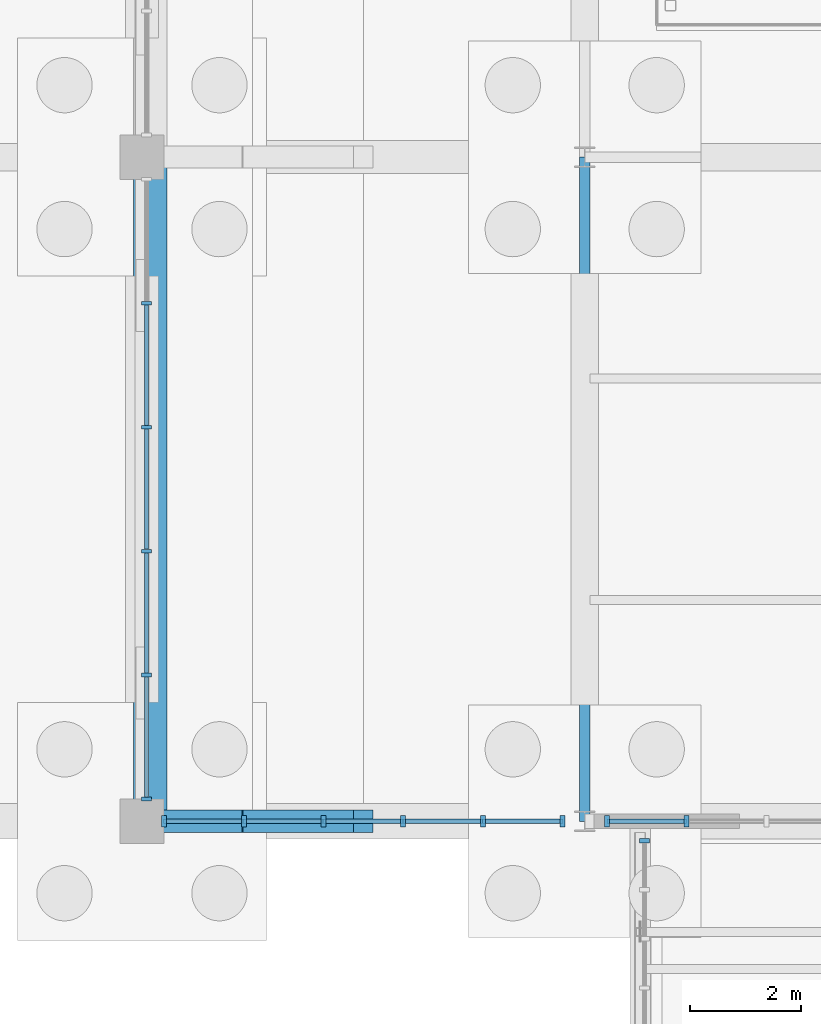
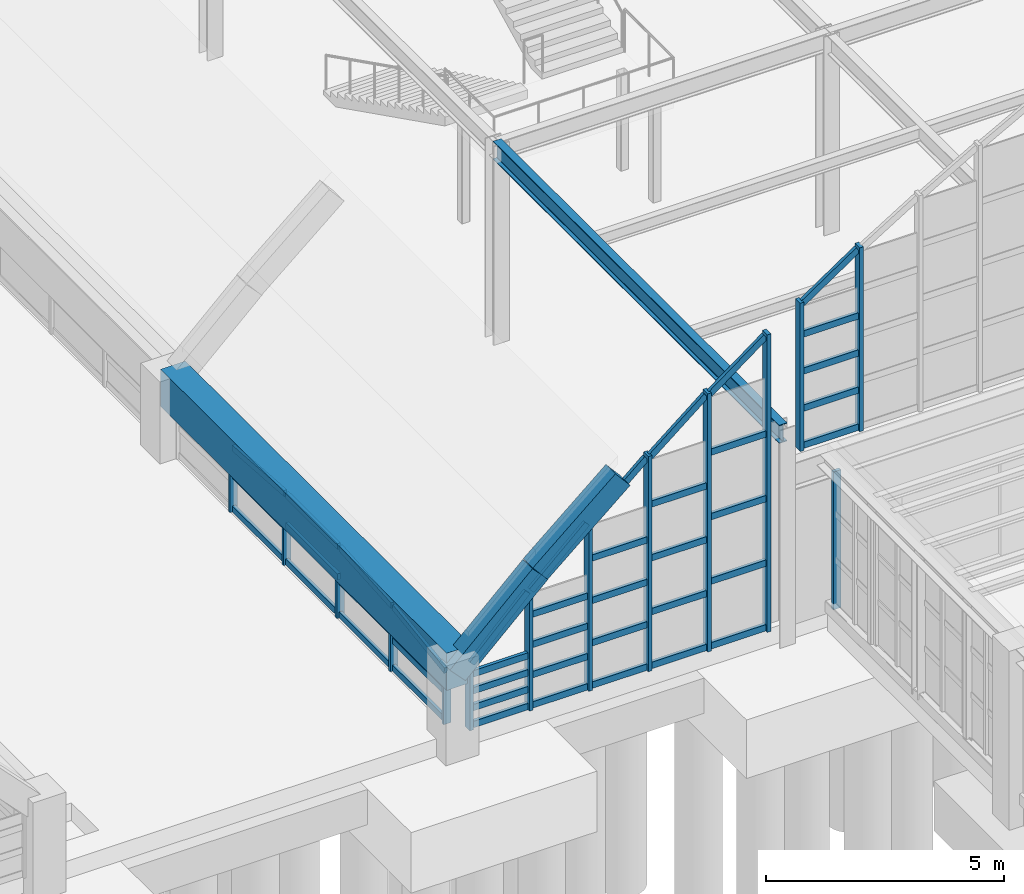
# One storey, part 39 of 129: 56 members, 4 beams, 4 elements without a shape of their own.
"""IFC4 building model written with IfcOpenShell, lengths in metres."""

from ifc_helpers import new_model, si_unit, direction, frame, origin, origin_2d, place, context, subcontext, project, spatial, rectangle, i_section, extrude, material, layer, layer_set, material_profile, profile_set, type_object, element, aggregate, save


model = new_model("IFC4")

# Units and contexts
model_context = context("Model", 3, precision=1e-05, world=origin(), true_north=direction((0.0, 1.0)))
body_context = subcontext(model_context, "Body", "Model", "MODEL_VIEW")
ifc_project = project(units=[si_unit("LENGTHUNIT", "METRE"), si_unit("AREAUNIT", "SQUARE_METRE"), si_unit("VOLUMEUNIT", "CUBIC_METRE"), si_unit("PLANEANGLEUNIT", "RADIAN"), si_unit("MASSUNIT", "GRAM", prefix="KILO")], contexts=[model_context])

# Site, building, storey
site_placement = place(None, origin())
site = spatial("IfcSite", under=ifc_project, at=site_placement, CompositionType="ELEMENT")
building_placement = place(site_placement, origin())
building = spatial("IfcBuilding", under=site, at=building_placement, Name="Sitalva Quay Ferry Terminal", CompositionType="ELEMENT")
storey_placement = place(building_placement, origin())
storey = spatial("IfcBuildingStorey", under=building, at=storey_placement, Name="L01", CompositionType="ELEMENT", Elevation=0.0)

# Beams
ifc_material_1 = material(Name="Concrete C40/50", Category="concrete")
ifc_material_profile_1 = material_profile(ifc_material_1, rectangle(XDim=0.39990234375, YDim=0.550048828125, at=origin_2d()), Name="RC400x550")
ifc_profile_set_1 = profile_set([ifc_material_profile_1], Name="Concrete C40/50")
beam_type_1 = type_object("IfcBeamType", Name="Beam_Arch_RC400x550", PredefinedType="BEAM", material=ifc_profile_set_1)
beam_1_placement = place(storey_placement, frame((42.0, 6.0, 1.6044921875), z_axis=(0.725680279623, 0.0, 0.688032071757), x_axis=(0.0, 1.0, 0.0)))
element("IfcBeam", 1, at=beam_1_placement, inside=storey, type_object=beam_type_1, Name="Vault V1 transverse arch rib 1.1", PredefinedType="BEAM", context=body_context, shape_type="SweptSolid", body=[
    extrude(rectangle(XDim=0.39990234375, YDim=0.550048828125, at=origin_2d()), origin(), (0.0, 0.0, 1.0), 2.756103515625),
])
beam_2_placement = place(storey_placement, frame((44.0, 6.0, 3.5107421875), z_axis=(0.760297282494, 0.0, 0.649575278342), x_axis=(0.0, 1.0, 0.0)))
element("IfcBeam", 2, at=beam_2_placement, inside=storey, type_object=beam_type_1, Name="Vault V1 transverse arch rib 1.2", PredefinedType="BEAM", context=body_context, shape_type="SweptSolid", body=[
    extrude(rectangle(XDim=0.39990234375, YDim=0.550048828125, at=origin_2d()), origin(), (0.0, 0.0, 1.0), 2.630615234375),
])
ifc_material_2 = material(Name="Concrete C40/50", Category="concrete")
ifc_material_profile_2 = material_profile(ifc_material_2, rectangle(XDim=0.60009765625, YDim=0.949951171875, at=origin_2d()), Name="RC600x950")
ifc_profile_set_2 = profile_set([ifc_material_profile_2], Name="Concrete C40/50")
beam_type_2 = type_object("IfcBeamType", Name="Beam_Edge_RC600x950", PredefinedType="BEAM", material=ifc_profile_set_2)
beam_3_placement = place(storey_placement, frame((42.14990234375, 6.0, 1.625), z_axis=(0.0, 1.0, 0.0), x_axis=(-1.0, 0.0, 0.0)))
element("IfcBeam", 3, at=beam_3_placement, inside=storey, type_object=beam_type_2, Name="Vault V1 longitudinal springing edge beam W bay 1", PredefinedType="BEAM", context=body_context, shape_type="SweptSolid", body=[
    extrude(rectangle(XDim=0.60009765625, YDim=0.949951171875, at=origin_2d()), origin(), (0.0, 0.0, 1.0), 12.0),
])
ifc_material_3 = material(Name="Structural Steel S355JR", Category="steel")
ifc_material_profile_3 = material_profile(ifc_material_3, i_section(OverallWidth=0.194091796875, OverallDepth=0.468994140625, WebThickness=0.0126953125, FlangeThickness=0.0205078125, FilletRadius=0.013916015625, at=origin_2d()), Name="W460x106")
ifc_profile_set_3 = profile_set([ifc_material_profile_3], Name="Structural Steel S355JR")
beam_type_3 = type_object("IfcBeamType", Name="Girder_W460x106", PredefinedType="USERDEFINED", material=ifc_profile_set_3)
beam_4_placement = place(storey_placement, frame((50.0, 6.0, 4.885498046875), z_axis=(0.0, 1.0, 0.0), x_axis=(-1.0, 0.0, 0.0)))
element("IfcBeam", 4, at=beam_4_placement, inside=storey, type_object=beam_type_3, Name="L01 Primary Y girder 0134", ObjectType="GIRDER", PredefinedType="USERDEFINED", context=body_context, shape_type="SweptSolid", body=[
    extrude(i_section(OverallWidth=0.194091796875, OverallDepth=0.468994140625, WebThickness=0.0126953125, FlangeThickness=0.0205078125, FilletRadius=0.013916015625, at=origin_2d()), origin(), (0.0, 0.0, 1.0), 12.0),
])

# Curtain wall, members
ifc_material_4 = material(Name="Anodised Aluminium & Low-E Glazing", Category="aluminium")
ifc_layer_1 = layer(ifc_material_4, 0.159912109375)
ifc_layer_set_1 = layer_set([ifc_layer_1], Name="Anodised Aluminium & Low-E Glazing")
curtain_wall_type_1 = type_object("IfcCurtainWallType", Name="CW_VaultArch_Glazed", PredefinedType="USERDEFINED", material=ifc_layer_set_1)
curtain_wall_1_placement = place(storey_placement, origin())
curtain_wall_1 = element("IfcCurtainWall", 5, at=curtain_wall_1_placement, inside=storey, type_object=curtain_wall_type_1, Name="V1-W shallow-arch base glazing (CW-L01-014)", ObjectType="CURTAIN_WALL", PredefinedType="USERDEFINED")
ifc_material_5 = material(Name="Anodised Aluminium 6063-T6", Category="aluminium")
ifc_material_profile_4 = material_profile(ifc_material_5, rectangle(XDim=0.070068359375, YDim=0.181884765625, at=origin_2d()), Name="ALU70x182")
ifc_profile_set_4 = profile_set([ifc_material_profile_4], Name="Anodised Aluminium 6063-T6")
member_type_1 = type_object("IfcMemberType", Name="Mullion_Alu_65x170", PredefinedType="MULLION", material=ifc_profile_set_4)
member_1_placement = place(storey_placement, frame((42.080078125, 6.39990234375, 0.0), z_axis=(0.0, 0.0, 1.0), x_axis=(0.0, 1.0, 0.0)))
member_1 = element("IfcMember", 6, at=member_1_placement, type_object=member_type_1, Name="CW-L01-014-M0", PredefinedType="MULLION", context=body_context, shape_type="SweptSolid", body=[
    extrude(rectangle(XDim=0.070068359375, YDim=0.181884765625, at=origin_2d()), origin(), (0.0, 0.0, 1.0), 1.39990234375),
])
member_2_placement = place(storey_placement, frame((42.080078125, 8.639892578125, 0.0), z_axis=(0.0, 0.0, 1.0), x_axis=(0.0, 1.0, 0.0)))
member_2 = element("IfcMember", 7, at=member_2_placement, type_object=member_type_1, Name="CW-L01-014-M1", PredefinedType="MULLION", context=body_context, shape_type="SweptSolid", body=[
    extrude(rectangle(XDim=0.070068359375, YDim=0.181884765625, at=origin_2d()), origin(), (0.0, 0.0, 1.0), 1.707275390625),
])
member_3_placement = place(storey_placement, frame((42.080078125, 10.8798828125, 0.0), z_axis=(0.0, 0.0, 1.0), x_axis=(0.0, 1.0, 0.0)))
member_3 = element("IfcMember", 8, at=member_3_placement, type_object=member_type_1, Name="CW-L01-014-M2", PredefinedType="MULLION", context=body_context, shape_type="SweptSolid", body=[
    extrude(rectangle(XDim=0.070068359375, YDim=0.181884765625, at=origin_2d()), origin(), (0.0, 0.0, 1.0), 1.86083984375),
])
member_4_placement = place(storey_placement, frame((42.080078125, 13.1201171875, 0.0), z_axis=(0.0, 0.0, 1.0), x_axis=(0.0, 1.0, 0.0)))
member_4 = element("IfcMember", 9, at=member_4_placement, type_object=member_type_1, Name="CW-L01-014-M3", PredefinedType="MULLION", context=body_context, shape_type="SweptSolid", body=[
    extrude(rectangle(XDim=0.070068359375, YDim=0.181884765625, at=origin_2d()), origin(), (0.0, 0.0, 1.0), 1.86083984375),
])
member_5_placement = place(storey_placement, frame((42.080078125, 15.360107421875, 0.0), z_axis=(0.0, 0.0, 1.0), x_axis=(0.0, 1.0, 0.0)))
member_5 = element("IfcMember", 10, at=member_5_placement, type_object=member_type_1, Name="CW-L01-014-M4", PredefinedType="MULLION", context=body_context, shape_type="SweptSolid", body=[
    extrude(rectangle(XDim=0.070068359375, YDim=0.181884765625, at=origin_2d()), origin(), (0.0, 0.0, 1.0), 1.707275390625),
])

# Curtain wall, member
ifc_material_6 = material(Name="Anodised Aluminium & Low-E Glazing", Category="aluminium")
ifc_layer_2 = layer(ifc_material_6, 0.159912109375)
ifc_layer_set_2 = layer_set([ifc_layer_2], Name="Anodised Aluminium & Low-E Glazing")
curtain_wall_type_2 = type_object("IfcCurtainWallType", Name="CW_Bridge_Glazed", PredefinedType="USERDEFINED", material=ifc_layer_set_2)
curtain_wall_2_placement = place(storey_placement, origin())
curtain_wall_2 = element("IfcCurtainWall", 11, at=curtain_wall_2_placement, inside=storey, type_object=curtain_wall_type_2, Name="Boarding bridge BB2 W4 side glazing (CW-L01-044)", ObjectType="CURTAIN_WALL", PredefinedType="USERDEFINED")
ifc_material_7 = material(Name="Anodised Aluminium 6063-T6", Category="aluminium")
ifc_material_profile_5 = material_profile(ifc_material_7, rectangle(XDim=0.080078125, YDim=0.18505859375, at=origin_2d()), Name="ALU80x185")
ifc_profile_set_5 = profile_set([ifc_material_profile_5], Name="Anodised Aluminium 6063-T6")
member_type_2 = type_object("IfcMemberType", Name="Mullion_Alu_80x185", PredefinedType="MULLION", material=ifc_profile_set_5)
member_6_placement = place(storey_placement, frame((51.080078125, 5.64990234375, 0.25), z_axis=(0.0, 0.0, 1.0), x_axis=(0.0, 1.0, 0.0)))
member_6 = element("IfcMember", 12, at=member_6_placement, type_object=member_type_2, Name="CW-L01-044-M4", PredefinedType="MULLION", context=body_context, shape_type="SweptSolid", body=[
    extrude(rectangle(XDim=0.080078125, YDim=0.18505859375, at=origin_2d()), origin(), (0.0, 0.0, 1.0), 3.530029296875),
])
aggregate(curtain_wall_2, [member_6])

# Curtain wall, members
ifc_material_8 = material(Name="Anodised Aluminium & Low-E Glazing", Category="aluminium")
ifc_layer_3 = layer(ifc_material_8, 0.159912109375)
ifc_layer_set_3 = layer_set([ifc_layer_3], Name="Anodised Aluminium & Low-E Glazing")
curtain_wall_type_3 = type_object("IfcCurtainWallType", Name="CW_Gable_Unitised", PredefinedType="USERDEFINED", material=ifc_layer_set_3)
curtain_wall_3_placement = place(storey_placement, origin())
curtain_wall_3 = element("IfcCurtainWall", 13, at=curtain_wall_3_placement, inside=storey, type_object=curtain_wall_type_3, Name="V1 south gable west pointed glazing (CW-L01-005)", ObjectType="CURTAIN_WALL", PredefinedType="USERDEFINED")
ifc_material_9 = material(Name="Anodised Aluminium 6063-T6", Category="aluminium")
ifc_material_profile_6 = material_profile(ifc_material_9, rectangle(XDim=0.090087890625, YDim=0.199951171875, at=origin_2d()), Name="ALU90x200")
ifc_profile_set_6 = profile_set([ifc_material_profile_6], Name="Anodised Aluminium 6063-T6")
member_type_3 = type_object("IfcMemberType", Name="Mullion_Alu_90x200", PredefinedType="MULLION", material=ifc_profile_set_6)
member_7_placement = place(storey_placement, frame((42.39990234375, 6.0, 0.0), z_axis=(0.0, 0.0, 1.0), x_axis=(1.0, 0.0, 0.0)))
member_7 = element("IfcMember", 14, at=member_7_placement, type_object=member_type_3, Name="CW-L01-005-M0", PredefinedType="MULLION", context=body_context, shape_type="SweptSolid", body=[
    extrude(rectangle(XDim=0.090087890625, YDim=0.199951171875, at=origin_2d()), origin(), (0.0, 0.0, 1.0), 1.729248046875),
])
member_8_placement = place(storey_placement, frame((43.840087890625, 6.0, 0.0), z_axis=(0.0, 0.0, 1.0), x_axis=(1.0, 0.0, 0.0)))
member_8 = element("IfcMember", 15, at=member_8_placement, type_object=member_type_3, Name="CW-L01-005-M1", PredefinedType="MULLION", context=body_context, shape_type="SweptSolid", body=[
    extrude(rectangle(XDim=0.090087890625, YDim=0.199951171875, at=origin_2d()), origin(), (0.0, 0.0, 1.0), 3.094482421875),
])
member_9_placement = place(storey_placement, frame((45.280029296875, 6.0, 0.0), z_axis=(0.0, 0.0, 1.0), x_axis=(1.0, 0.0, 0.0)))
member_9 = element("IfcMember", 16, at=member_9_placement, type_object=member_type_3, Name="CW-L01-005-M2", PredefinedType="MULLION", context=body_context, shape_type="SweptSolid", body=[
    extrude(rectangle(XDim=0.090087890625, YDim=0.199951171875, at=origin_2d()), origin(), (0.0, 0.0, 1.0), 4.339599609375),
])
member_10_placement = place(storey_placement, frame((46.719970703125, 6.0, 0.0), z_axis=(0.0, 0.0, 1.0), x_axis=(1.0, 0.0, 0.0)))
member_10 = element("IfcMember", 17, at=member_10_placement, type_object=member_type_3, Name="CW-L01-005-M3", PredefinedType="MULLION", context=body_context, shape_type="SweptSolid", body=[
    extrude(rectangle(XDim=0.090087890625, YDim=0.199951171875, at=origin_2d()), origin(), (0.0, 0.0, 1.0), 5.510498046875),
])
member_11_placement = place(storey_placement, frame((48.159912109375, 6.0, 0.0), z_axis=(0.0, 0.0, 1.0), x_axis=(1.0, 0.0, 0.0)))
member_11 = element("IfcMember", 18, at=member_11_placement, type_object=member_type_3, Name="CW-L01-005-M4", PredefinedType="MULLION", context=body_context, shape_type="SweptSolid", body=[
    extrude(rectangle(XDim=0.090087890625, YDim=0.199951171875, at=origin_2d()), origin(), (0.0, 0.0, 1.0), 6.6103515625),
])
member_12_placement = place(storey_placement, frame((49.60009765625, 6.0, 0.0), z_axis=(0.0, 0.0, 1.0), x_axis=(1.0, 0.0, 0.0)))
member_12 = element("IfcMember", 19, at=member_12_placement, type_object=member_type_3, Name="CW-L01-005-M5", PredefinedType="MULLION", context=body_context, shape_type="SweptSolid", body=[
    extrude(rectangle(XDim=0.090087890625, YDim=0.199951171875, at=origin_2d()), origin(), (0.0, 0.0, 1.0), 7.615966796875),
])

curtain_wall_4_placement = place(storey_placement, origin())
curtain_wall_4 = element("IfcCurtainWall", 20, at=curtain_wall_4_placement, inside=storey, type_object=curtain_wall_type_3, Name="V1 south gable west-apex pointed glazing (CW-L01-006)", ObjectType="CURTAIN_WALL", PredefinedType="USERDEFINED")
member_13_placement = place(storey_placement, frame((50.39990234375, 6.0, 4.35009765625), z_axis=(0.0, 0.0, 1.0), x_axis=(1.0, 0.0, 0.0)))
member_13 = element("IfcMember", 21, at=member_13_placement, type_object=member_type_3, Name="CW-L01-006-M0", PredefinedType="MULLION", context=body_context, shape_type="SweptSolid", body=[
    extrude(rectangle(XDim=0.090087890625, YDim=0.199951171875, at=origin_2d()), origin(), (0.0, 0.0, 1.0), 3.7978515625),
])
member_14_placement = place(storey_placement, frame((51.840087890625, 6.0, 4.35009765625), z_axis=(0.0, 0.0, 1.0), x_axis=(1.0, 0.0, 0.0)))
member_14 = element("IfcMember", 22, at=member_14_placement, type_object=member_type_3, Name="CW-L01-006-M1", PredefinedType="MULLION", context=body_context, shape_type="SweptSolid", body=[
    extrude(rectangle(XDim=0.090087890625, YDim=0.199951171875, at=origin_2d()), origin(), (0.0, 0.0, 1.0), 4.707763671875),
])

# Member
ifc_material_10 = material(Name="Anodised Aluminium 6063-T6", Category="aluminium")
ifc_material_profile_7 = material_profile(ifc_material_10, rectangle(XDim=0.074951171875, YDim=0.155029296875, at=origin_2d()), Name="ALU75x155")
ifc_profile_set_7 = profile_set([ifc_material_profile_7], Name="Anodised Aluminium 6063-T6")
member_type_4 = type_object("IfcMemberType", Name="Transom_Alu_70x135", PredefinedType="MULLION", material=ifc_profile_set_7)
member_15_placement = place(storey_placement, frame((42.080078125, 6.43505859375, 0.077392578125), z_axis=(0.0, 1.0, 0.0), x_axis=(-1.0, 0.0, 0.0)))
member_15 = element("IfcMember", 23, at=member_15_placement, type_object=member_type_4, Name="CW-L01-014-T0-0", ObjectType="TRANSOM", PredefinedType="USERDEFINED", context=body_context, shape_type="SweptSolid", body=[
    extrude(rectangle(XDim=0.074951171875, YDim=0.155029296875, at=origin_2d()), origin(), (0.0, 0.0, 1.0), 2.169921875),
])

member_16_placement = place(storey_placement, frame((42.080078125, 6.43505859375, 0.777587890625), z_axis=(0.0, 1.0, 0.0), x_axis=(-1.0, 0.0, 0.0)))
member_16 = element("IfcMember", 24, at=member_16_placement, type_object=member_type_4, Name="CW-L01-014-T0-1", ObjectType="TRANSOM", PredefinedType="USERDEFINED", context=body_context, shape_type="SweptSolid", body=[
    extrude(rectangle(XDim=0.074951171875, YDim=0.155029296875, at=origin_2d()), origin(), (0.0, 0.0, 1.0), 2.169921875),
])

member_17_placement = place(storey_placement, frame((42.080078125, 6.43505859375, 1.322509765625), z_axis=(0.0, 0.990131365095, 0.140142355681), x_axis=(-1.0, 0.0, 0.0)))
member_17 = element("IfcMember", 25, at=member_17_placement, type_object=member_type_4, Name="CW-L01-014-T0-2", ObjectType="TRANSOM", PredefinedType="USERDEFINED", context=body_context, shape_type="SweptSolid", body=[
    extrude(rectangle(XDim=0.074951171875, YDim=0.155029296875, at=origin_2d()), origin(), (0.0, 0.0, 1.0), 2.191650390625),
])

member_18_placement = place(storey_placement, frame((42.080078125, 8.675048828125, 0.077392578125), z_axis=(0.0, 1.0, 0.0), x_axis=(-1.0, 0.0, 0.0)))
member_18 = element("IfcMember", 26, at=member_18_placement, type_object=member_type_4, Name="CW-L01-014-T1-0", ObjectType="TRANSOM", PredefinedType="USERDEFINED", context=body_context, shape_type="SweptSolid", body=[
    extrude(rectangle(XDim=0.074951171875, YDim=0.155029296875, at=origin_2d()), origin(), (0.0, 0.0, 1.0), 2.169921875),
])

member_19_placement = place(storey_placement, frame((42.080078125, 8.675048828125, 0.93115234375), z_axis=(0.0, 1.0, 0.0), x_axis=(-1.0, 0.0, 0.0)))
member_19 = element("IfcMember", 27, at=member_19_placement, type_object=member_type_4, Name="CW-L01-014-T1-1", ObjectType="TRANSOM", PredefinedType="USERDEFINED", context=body_context, shape_type="SweptSolid", body=[
    extrude(rectangle(XDim=0.074951171875, YDim=0.155029296875, at=origin_2d()), origin(), (0.0, 0.0, 1.0), 2.169921875),
])

member_20_placement = place(storey_placement, frame((42.080078125, 8.675048828125, 1.629638671875), z_axis=(0.0, 0.997505200677, 0.070593021065), x_axis=(-1.0, 0.0, 0.0)))
member_20 = element("IfcMember", 28, at=member_20_placement, type_object=member_type_4, Name="CW-L01-014-T1-2", ObjectType="TRANSOM", PredefinedType="USERDEFINED", context=body_context, shape_type="SweptSolid", body=[
    extrude(rectangle(XDim=0.074951171875, YDim=0.155029296875, at=origin_2d()), origin(), (0.0, 0.0, 1.0), 2.17529296875),
])

member_21_placement = place(storey_placement, frame((42.080078125, 10.9150390625, 0.077392578125), z_axis=(0.0, 1.0, 0.0), x_axis=(-1.0, 0.0, 0.0)))
member_21 = element("IfcMember", 29, at=member_21_placement, type_object=member_type_4, Name="CW-L01-014-T2-0", ObjectType="TRANSOM", PredefinedType="USERDEFINED", context=body_context, shape_type="SweptSolid", body=[
    extrude(rectangle(XDim=0.074951171875, YDim=0.155029296875, at=origin_2d()), origin(), (0.0, 0.0, 1.0), 2.169921875),
])

member_22_placement = place(storey_placement, frame((42.080078125, 10.9150390625, 1.0078125), z_axis=(0.0, 1.0, 0.0), x_axis=(-1.0, 0.0, 0.0)))
member_22 = element("IfcMember", 30, at=member_22_placement, type_object=member_type_4, Name="CW-L01-014-T2-1", ObjectType="TRANSOM", PredefinedType="USERDEFINED", context=body_context, shape_type="SweptSolid", body=[
    extrude(rectangle(XDim=0.074951171875, YDim=0.155029296875, at=origin_2d()), origin(), (0.0, 0.0, 1.0), 2.169921875),
])

member_23_placement = place(storey_placement, frame((42.080078125, 10.9150390625, 1.783203125), z_axis=(0.0, 1.0, 0.0), x_axis=(-1.0, 0.0, 0.0)))
member_23 = element("IfcMember", 31, at=member_23_placement, type_object=member_type_4, Name="CW-L01-014-T2-2", ObjectType="TRANSOM", PredefinedType="USERDEFINED", context=body_context, shape_type="SweptSolid", body=[
    extrude(rectangle(XDim=0.074951171875, YDim=0.155029296875, at=origin_2d()), origin(), (0.0, 0.0, 1.0), 2.169921875),
])

member_24_placement = place(storey_placement, frame((42.080078125, 13.155029296875, 0.077392578125), z_axis=(0.0, 1.0, 0.0), x_axis=(-1.0, 0.0, 0.0)))
member_24 = element("IfcMember", 32, at=member_24_placement, type_object=member_type_4, Name="CW-L01-014-T3-0", ObjectType="TRANSOM", PredefinedType="USERDEFINED", context=body_context, shape_type="SweptSolid", body=[
    extrude(rectangle(XDim=0.074951171875, YDim=0.155029296875, at=origin_2d()), origin(), (0.0, 0.0, 1.0), 2.169921875),
])

member_25_placement = place(storey_placement, frame((42.080078125, 13.155029296875, 0.93115234375), z_axis=(0.0, 1.0, 0.0), x_axis=(-1.0, 0.0, 0.0)))
member_25 = element("IfcMember", 33, at=member_25_placement, type_object=member_type_4, Name="CW-L01-014-T3-1", ObjectType="TRANSOM", PredefinedType="USERDEFINED", context=body_context, shape_type="SweptSolid", body=[
    extrude(rectangle(XDim=0.074951171875, YDim=0.155029296875, at=origin_2d()), origin(), (0.0, 0.0, 1.0), 2.169921875),
])

member_26_placement = place(storey_placement, frame((42.080078125, 13.155029296875, 1.783203125), z_axis=(0.0, 0.997505200677, -0.070593021065), x_axis=(-1.0, 0.0, 0.0)))
member_26 = element("IfcMember", 34, at=member_26_placement, type_object=member_type_4, Name="CW-L01-014-T3-2", ObjectType="TRANSOM", PredefinedType="USERDEFINED", context=body_context, shape_type="SweptSolid", body=[
    extrude(rectangle(XDim=0.074951171875, YDim=0.155029296875, at=origin_2d()), origin(), (0.0, 0.0, 1.0), 2.17529296875),
])

aggregate(curtain_wall_1, [member_1, member_2, member_3, member_4, member_5, member_15, member_16, member_17, member_18, member_19, member_20, member_21, member_22, member_23, member_24, member_25, member_26])

ifc_material_11 = material(Name="Anodised Aluminium 6063-T6", Category="aluminium")
ifc_material_profile_8 = material_profile(ifc_material_11, rectangle(XDim=0.080078125, YDim=0.1650390625, at=origin_2d()), Name="ALU80x165")
ifc_profile_set_8 = profile_set([ifc_material_profile_8], Name="Anodised Aluminium 6063-T6")
member_type_5 = type_object("IfcMemberType", Name="Transom_Alu_80x165", PredefinedType="MULLION", material=ifc_profile_set_8)
member_27_placement = place(storey_placement, frame((42.445068359375, 6.0, 0.08251953125), z_axis=(1.0, 0.0, 0.0), x_axis=(0.0, 1.0, 0.0)))
member_27 = element("IfcMember", 35, at=member_27_placement, type_object=member_type_5, Name="CW-L01-005-T0-0", ObjectType="TRANSOM", PredefinedType="USERDEFINED", context=body_context, shape_type="SweptSolid", body=[
    extrude(rectangle(XDim=0.080078125, YDim=0.1650390625, at=origin_2d()), origin(), (0.0, 0.0, 1.0), 1.349853515625),
])

member_28_placement = place(storey_placement, frame((42.445068359375, 6.0, 0.514892578125), z_axis=(1.0, 0.0, 0.0), x_axis=(0.0, 1.0, 0.0)))
member_28 = element("IfcMember", 36, at=member_28_placement, type_object=member_type_5, Name="CW-L01-005-T0-1", ObjectType="TRANSOM", PredefinedType="USERDEFINED", context=body_context, shape_type="SweptSolid", body=[
    extrude(rectangle(XDim=0.080078125, YDim=0.1650390625, at=origin_2d()), origin(), (0.0, 0.0, 1.0), 1.349853515625),
])

member_29_placement = place(storey_placement, frame((42.445068359375, 6.0, 0.947021484375), z_axis=(1.0, 0.0, 0.0), x_axis=(0.0, 1.0, 0.0)))
member_29 = element("IfcMember", 37, at=member_29_placement, type_object=member_type_5, Name="CW-L01-005-T0-2", ObjectType="TRANSOM", PredefinedType="USERDEFINED", context=body_context, shape_type="SweptSolid", body=[
    extrude(rectangle(XDim=0.080078125, YDim=0.1650390625, at=origin_2d()), origin(), (0.0, 0.0, 1.0), 1.349853515625),
])

member_30_placement = place(storey_placement, frame((42.445068359375, 6.0, 1.37939453125), z_axis=(1.0, 0.0, 0.0), x_axis=(0.0, 1.0, 0.0)))
member_30 = element("IfcMember", 38, at=member_30_placement, type_object=member_type_5, Name="CW-L01-005-T0-3", ObjectType="TRANSOM", PredefinedType="USERDEFINED", context=body_context, shape_type="SweptSolid", body=[
    extrude(rectangle(XDim=0.080078125, YDim=0.1650390625, at=origin_2d()), origin(), (0.0, 0.0, 1.0), 1.349853515625),
])

member_31_placement = place(storey_placement, frame((42.445068359375, 6.0, 1.646728515625), z_axis=(0.703089769237, 0.0, 0.711101101388), x_axis=(0.0, 1.0, 0.0)))
member_31 = element("IfcMember", 39, at=member_31_placement, type_object=member_type_5, Name="CW-L01-005-T0-4", ObjectType="TRANSOM", PredefinedType="USERDEFINED", context=body_context, shape_type="SweptSolid", body=[
    extrude(rectangle(XDim=0.080078125, YDim=0.1650390625, at=origin_2d()), origin(), (0.0, 0.0, 1.0), 1.919921875),
])

member_32_placement = place(storey_placement, frame((43.885009765625, 6.0, 0.08251953125), z_axis=(1.0, 0.0, 0.0), x_axis=(0.0, 1.0, 0.0)))
member_32 = element("IfcMember", 40, at=member_32_placement, type_object=member_type_5, Name="CW-L01-005-T1-0", ObjectType="TRANSOM", PredefinedType="USERDEFINED", context=body_context, shape_type="SweptSolid", body=[
    extrude(rectangle(XDim=0.080078125, YDim=0.1650390625, at=origin_2d()), origin(), (0.0, 0.0, 1.0), 1.35009765625),
])

member_33_placement = place(storey_placement, frame((43.885009765625, 6.0, 0.856201171875), z_axis=(1.0, 0.0, 0.0), x_axis=(0.0, 1.0, 0.0)))
member_33 = element("IfcMember", 41, at=member_33_placement, type_object=member_type_5, Name="CW-L01-005-T1-1", ObjectType="TRANSOM", PredefinedType="USERDEFINED", context=body_context, shape_type="SweptSolid", body=[
    extrude(rectangle(XDim=0.080078125, YDim=0.1650390625, at=origin_2d()), origin(), (0.0, 0.0, 1.0), 1.35009765625),
])

member_34_placement = place(storey_placement, frame((43.885009765625, 6.0, 1.6298828125), z_axis=(1.0, 0.0, 0.0), x_axis=(0.0, 1.0, 0.0)))
member_34 = element("IfcMember", 42, at=member_34_placement, type_object=member_type_5, Name="CW-L01-005-T1-2", ObjectType="TRANSOM", PredefinedType="USERDEFINED", context=body_context, shape_type="SweptSolid", body=[
    extrude(rectangle(XDim=0.080078125, YDim=0.1650390625, at=origin_2d()), origin(), (0.0, 0.0, 1.0), 1.35009765625),
])

member_35_placement = place(storey_placement, frame((43.885009765625, 6.0, 2.4033203125), z_axis=(1.0, 0.0, 0.0), x_axis=(0.0, 1.0, 0.0)))
member_35 = element("IfcMember", 43, at=member_35_placement, type_object=member_type_5, Name="CW-L01-005-T1-3", ObjectType="TRANSOM", PredefinedType="USERDEFINED", context=body_context, shape_type="SweptSolid", body=[
    extrude(rectangle(XDim=0.080078125, YDim=0.1650390625, at=origin_2d()), origin(), (0.0, 0.0, 1.0), 1.35009765625),
])

member_36_placement = place(storey_placement, frame((43.885009765625, 6.0, 3.011962890625), z_axis=(0.735042908087, 0.0, 0.67802059207), x_axis=(0.0, 1.0, 0.0)))
member_36 = element("IfcMember", 44, at=member_36_placement, type_object=member_type_5, Name="CW-L01-005-T1-4", ObjectType="TRANSOM", PredefinedType="USERDEFINED", context=body_context, shape_type="SweptSolid", body=[
    extrude(rectangle(XDim=0.080078125, YDim=0.1650390625, at=origin_2d()), origin(), (0.0, 0.0, 1.0), 1.836669921875),
])

member_37_placement = place(storey_placement, frame((45.324951171875, 6.0, 0.08251953125), z_axis=(1.0, 0.0, 0.0), x_axis=(0.0, 1.0, 0.0)))
member_37 = element("IfcMember", 45, at=member_37_placement, type_object=member_type_5, Name="CW-L01-005-T2-0", ObjectType="TRANSOM", PredefinedType="USERDEFINED", context=body_context, shape_type="SweptSolid", body=[
    extrude(rectangle(XDim=0.080078125, YDim=0.1650390625, at=origin_2d()), origin(), (0.0, 0.0, 1.0), 1.35009765625),
])

member_38_placement = place(storey_placement, frame((45.324951171875, 6.0, 1.16748046875), z_axis=(1.0, 0.0, 0.0), x_axis=(0.0, 1.0, 0.0)))
member_38 = element("IfcMember", 46, at=member_38_placement, type_object=member_type_5, Name="CW-L01-005-T2-1", ObjectType="TRANSOM", PredefinedType="USERDEFINED", context=body_context, shape_type="SweptSolid", body=[
    extrude(rectangle(XDim=0.080078125, YDim=0.1650390625, at=origin_2d()), origin(), (0.0, 0.0, 1.0), 1.35009765625),
])

member_39_placement = place(storey_placement, frame((45.324951171875, 6.0, 2.25244140625), z_axis=(1.0, 0.0, 0.0), x_axis=(0.0, 1.0, 0.0)))
member_39 = element("IfcMember", 47, at=member_39_placement, type_object=member_type_5, Name="CW-L01-005-T2-2", ObjectType="TRANSOM", PredefinedType="USERDEFINED", context=body_context, shape_type="SweptSolid", body=[
    extrude(rectangle(XDim=0.080078125, YDim=0.1650390625, at=origin_2d()), origin(), (0.0, 0.0, 1.0), 1.35009765625),
])

member_40_placement = place(storey_placement, frame((45.324951171875, 6.0, 3.33740234375), z_axis=(1.0, 0.0, 0.0), x_axis=(0.0, 1.0, 0.0)))
member_40 = element("IfcMember", 48, at=member_40_placement, type_object=member_type_5, Name="CW-L01-005-T2-3", ObjectType="TRANSOM", PredefinedType="USERDEFINED", context=body_context, shape_type="SweptSolid", body=[
    extrude(rectangle(XDim=0.080078125, YDim=0.1650390625, at=origin_2d()), origin(), (0.0, 0.0, 1.0), 1.35009765625),
])

member_41_placement = place(storey_placement, frame((45.324951171875, 6.0, 4.25732421875), z_axis=(0.755531284297, 0.0, 0.655112569295), x_axis=(0.0, 1.0, 0.0)))
member_41 = element("IfcMember", 49, at=member_41_placement, type_object=member_type_5, Name="CW-L01-005-T2-4", ObjectType="TRANSOM", PredefinedType="USERDEFINED", context=body_context, shape_type="SweptSolid", body=[
    extrude(rectangle(XDim=0.080078125, YDim=0.1650390625, at=origin_2d()), origin(), (0.0, 0.0, 1.0), 1.786865234375),
])

member_42_placement = place(storey_placement, frame((46.764892578125, 6.0, 0.08251953125), z_axis=(1.0, 0.0, 0.0), x_axis=(0.0, 1.0, 0.0)))
member_42 = element("IfcMember", 50, at=member_42_placement, type_object=member_type_5, Name="CW-L01-005-T3-0", ObjectType="TRANSOM", PredefinedType="USERDEFINED", context=body_context, shape_type="SweptSolid", body=[
    extrude(rectangle(XDim=0.080078125, YDim=0.1650390625, at=origin_2d()), origin(), (0.0, 0.0, 1.0), 1.35009765625),
])

member_43_placement = place(storey_placement, frame((46.764892578125, 6.0, 1.460205078125), z_axis=(1.0, 0.0, 0.0), x_axis=(0.0, 1.0, 0.0)))
member_43 = element("IfcMember", 51, at=member_43_placement, type_object=member_type_5, Name="CW-L01-005-T3-1", ObjectType="TRANSOM", PredefinedType="USERDEFINED", context=body_context, shape_type="SweptSolid", body=[
    extrude(rectangle(XDim=0.080078125, YDim=0.1650390625, at=origin_2d()), origin(), (0.0, 0.0, 1.0), 1.35009765625),
])

member_44_placement = place(storey_placement, frame((46.764892578125, 6.0, 2.837890625), z_axis=(1.0, 0.0, 0.0), x_axis=(0.0, 1.0, 0.0)))
member_44 = element("IfcMember", 52, at=member_44_placement, type_object=member_type_5, Name="CW-L01-005-T3-2", ObjectType="TRANSOM", PredefinedType="USERDEFINED", context=body_context, shape_type="SweptSolid", body=[
    extrude(rectangle(XDim=0.080078125, YDim=0.1650390625, at=origin_2d()), origin(), (0.0, 0.0, 1.0), 1.35009765625),
])

member_45_placement = place(storey_placement, frame((46.764892578125, 6.0, 4.21533203125), z_axis=(1.0, 0.0, 0.0), x_axis=(0.0, 1.0, 0.0)))
member_45 = element("IfcMember", 53, at=member_45_placement, type_object=member_type_5, Name="CW-L01-005-T3-3", ObjectType="TRANSOM", PredefinedType="USERDEFINED", context=body_context, shape_type="SweptSolid", body=[
    extrude(rectangle(XDim=0.080078125, YDim=0.1650390625, at=origin_2d()), origin(), (0.0, 0.0, 1.0), 1.35009765625),
])

member_46_placement = place(storey_placement, frame((46.764892578125, 6.0, 5.427978515625), z_axis=(0.775298550643, 0.0, 0.631594931401), x_axis=(0.0, 1.0, 0.0)))
member_46 = element("IfcMember", 54, at=member_46_placement, type_object=member_type_5, Name="CW-L01-005-T3-4", ObjectType="TRANSOM", PredefinedType="USERDEFINED", context=body_context, shape_type="SweptSolid", body=[
    extrude(rectangle(XDim=0.080078125, YDim=0.1650390625, at=origin_2d()), origin(), (0.0, 0.0, 1.0), 1.741455078125),
])

member_47_placement = place(storey_placement, frame((48.205078125, 6.0, 0.08251953125), z_axis=(1.0, 0.0, 0.0), x_axis=(0.0, 1.0, 0.0)))
member_47 = element("IfcMember", 55, at=member_47_placement, type_object=member_type_5, Name="CW-L01-005-T4-0", ObjectType="TRANSOM", PredefinedType="USERDEFINED", context=body_context, shape_type="SweptSolid", body=[
    extrude(rectangle(XDim=0.080078125, YDim=0.1650390625, at=origin_2d()), origin(), (0.0, 0.0, 1.0), 1.349853515625),
])

member_48_placement = place(storey_placement, frame((48.205078125, 6.0, 1.735107421875), z_axis=(1.0, 0.0, 0.0), x_axis=(0.0, 1.0, 0.0)))
member_48 = element("IfcMember", 56, at=member_48_placement, type_object=member_type_5, Name="CW-L01-005-T4-1", ObjectType="TRANSOM", PredefinedType="USERDEFINED", context=body_context, shape_type="SweptSolid", body=[
    extrude(rectangle(XDim=0.080078125, YDim=0.1650390625, at=origin_2d()), origin(), (0.0, 0.0, 1.0), 1.349853515625),
])

member_49_placement = place(storey_placement, frame((48.205078125, 6.0, 3.3876953125), z_axis=(1.0, 0.0, 0.0), x_axis=(0.0, 1.0, 0.0)))
member_49 = element("IfcMember", 57, at=member_49_placement, type_object=member_type_5, Name="CW-L01-005-T4-2", ObjectType="TRANSOM", PredefinedType="USERDEFINED", context=body_context, shape_type="SweptSolid", body=[
    extrude(rectangle(XDim=0.080078125, YDim=0.1650390625, at=origin_2d()), origin(), (0.0, 0.0, 1.0), 1.349853515625),
])

member_50_placement = place(storey_placement, frame((48.205078125, 6.0, 5.040283203125), z_axis=(1.0, 0.0, 0.0), x_axis=(0.0, 1.0, 0.0)))
member_50 = element("IfcMember", 58, at=member_50_placement, type_object=member_type_5, Name="CW-L01-005-T4-3", ObjectType="TRANSOM", PredefinedType="USERDEFINED", context=body_context, shape_type="SweptSolid", body=[
    extrude(rectangle(XDim=0.080078125, YDim=0.1650390625, at=origin_2d()), origin(), (0.0, 0.0, 1.0), 1.349853515625),
])

member_51_placement = place(storey_placement, frame((48.205078125, 6.0, 6.52783203125), z_axis=(0.801927789627, 0.0, 0.597420974041), x_axis=(0.0, 1.0, 0.0)))
member_51 = element("IfcMember", 59, at=member_51_placement, type_object=member_type_5, Name="CW-L01-005-T4-4", ObjectType="TRANSOM", PredefinedType="USERDEFINED", context=body_context, shape_type="SweptSolid", body=[
    extrude(rectangle(XDim=0.080078125, YDim=0.1650390625, at=origin_2d()), origin(), (0.0, 0.0, 1.0), 1.683349609375),
])

aggregate(curtain_wall_3, [member_7, member_8, member_9, member_10, member_11, member_12, member_27, member_28, member_29, member_30, member_31, member_32, member_33, member_34, member_35, member_36, member_37, member_38, member_39, member_40, member_41, member_42, member_43, member_44, member_45, member_46, member_47, member_48, member_49, member_50, member_51])

member_52_placement = place(storey_placement, frame((50.445068359375, 6.0, 4.4326171875), z_axis=(1.0, 0.0, 0.0), x_axis=(0.0, 1.0, 0.0)))
member_52 = element("IfcMember", 60, at=member_52_placement, type_object=member_type_5, Name="CW-L01-006-T0-0", ObjectType="TRANSOM", PredefinedType="USERDEFINED", context=body_context, shape_type="SweptSolid", body=[
    extrude(rectangle(XDim=0.080078125, YDim=0.1650390625, at=origin_2d()), origin(), (0.0, 0.0, 1.0), 1.349853515625),
])

member_53_placement = place(storey_placement, frame((50.445068359375, 6.0, 5.382080078125), z_axis=(1.0, 0.0, 0.0), x_axis=(0.0, 1.0, 0.0)))
member_53 = element("IfcMember", 61, at=member_53_placement, type_object=member_type_5, Name="CW-L01-006-T0-1", ObjectType="TRANSOM", PredefinedType="USERDEFINED", context=body_context, shape_type="SweptSolid", body=[
    extrude(rectangle(XDim=0.080078125, YDim=0.1650390625, at=origin_2d()), origin(), (0.0, 0.0, 1.0), 1.349853515625),
])

member_54_placement = place(storey_placement, frame((50.445068359375, 6.0, 6.33154296875), z_axis=(1.0, 0.0, 0.0), x_axis=(0.0, 1.0, 0.0)))
member_54 = element("IfcMember", 62, at=member_54_placement, type_object=member_type_5, Name="CW-L01-006-T0-2", ObjectType="TRANSOM", PredefinedType="USERDEFINED", context=body_context, shape_type="SweptSolid", body=[
    extrude(rectangle(XDim=0.080078125, YDim=0.1650390625, at=origin_2d()), origin(), (0.0, 0.0, 1.0), 1.349853515625),
])

member_55_placement = place(storey_placement, frame((50.445068359375, 6.0, 7.281005859375), z_axis=(1.0, 0.0, 0.0), x_axis=(0.0, 1.0, 0.0)))
member_55 = element("IfcMember", 63, at=member_55_placement, type_object=member_type_5, Name="CW-L01-006-T0-3", ObjectType="TRANSOM", PredefinedType="USERDEFINED", context=body_context, shape_type="SweptSolid", body=[
    extrude(rectangle(XDim=0.080078125, YDim=0.1650390625, at=origin_2d()), origin(), (0.0, 0.0, 1.0), 1.349853515625),
])

member_56_placement = place(storey_placement, frame((50.445068359375, 6.0, 8.065673828125), z_axis=(0.829270960768, 0.0, 0.558846735363), x_axis=(0.0, 1.0, 0.0)))
member_56 = element("IfcMember", 64, at=member_56_placement, type_object=member_type_5, Name="CW-L01-006-T0-4", ObjectType="TRANSOM", PredefinedType="USERDEFINED", context=body_context, shape_type="SweptSolid", body=[
    extrude(rectangle(XDim=0.080078125, YDim=0.1650390625, at=origin_2d()), origin(), (0.0, 0.0, 1.0), 1.627685546875),
])

aggregate(curtain_wall_4, [member_13, member_14, member_52, member_53, member_54, member_55, member_56])

save(model, "model.ifc")
